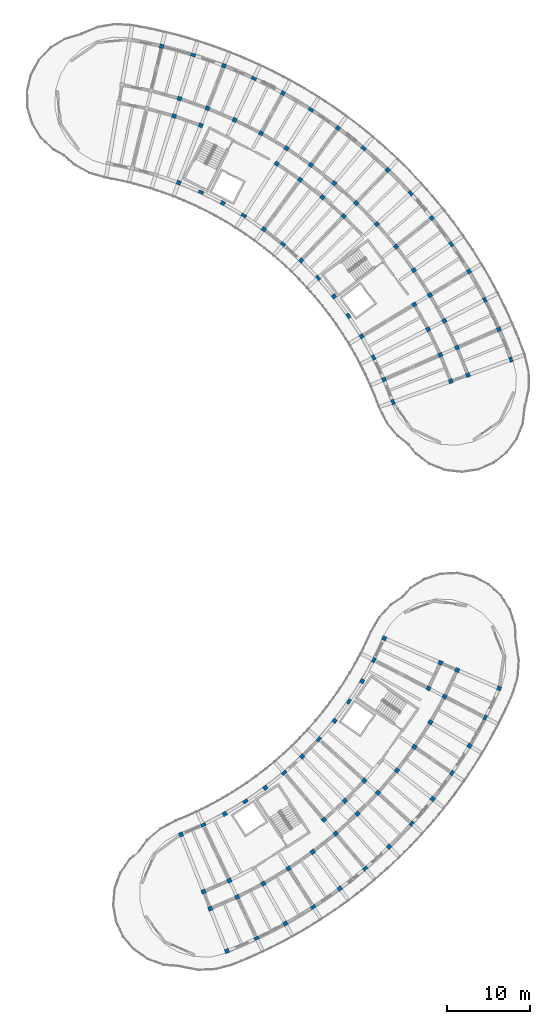
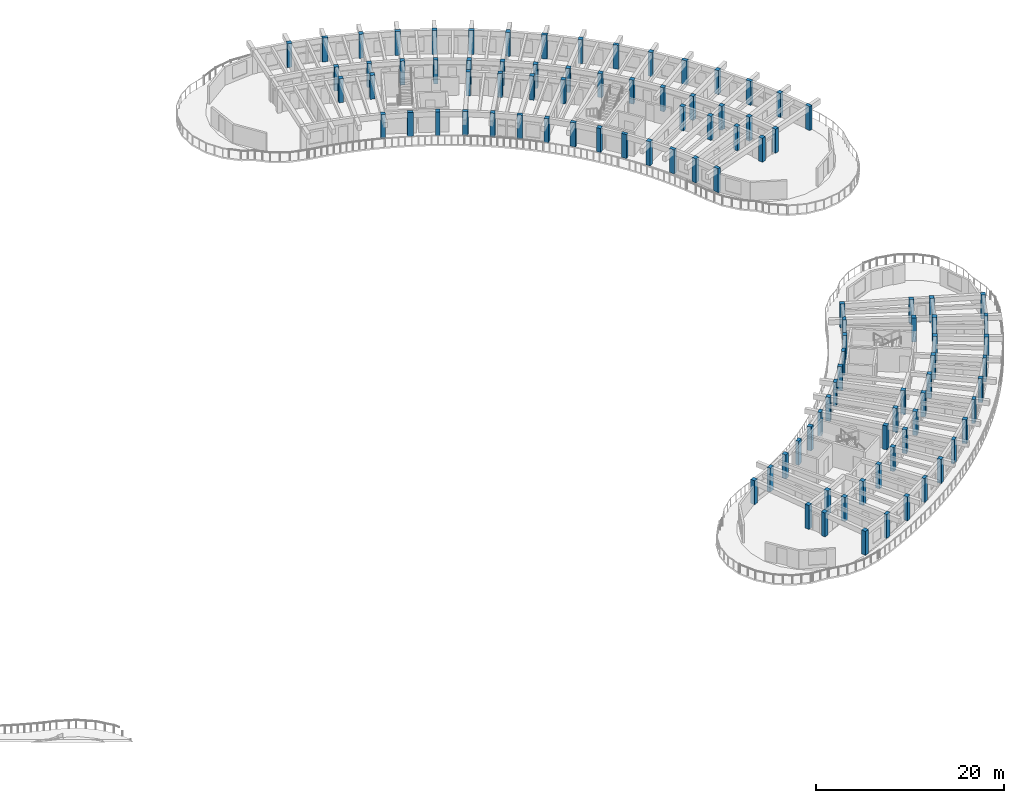
# One storey, part 2 of 83: 101 columns.
"""IFC4 building model written with IfcOpenShell, lengths in metres."""

from ifc_helpers import new_model, si_unit, direction, frame, origin, origin_2d, place, context, subcontext, project, spatial, rectangle, extrude, material, material_profile, profile_set, type_object, element, save


model = new_model("IFC4")

# Units and contexts
model_context = context("Model", 3, precision=1e-05, world=origin(), true_north=direction((0.0, 1.0)))
body_context = subcontext(model_context, "Body", "Model", "MODEL_VIEW")
ifc_project = project(units=[si_unit("LENGTHUNIT", "METRE"), si_unit("AREAUNIT", "SQUARE_METRE"), si_unit("VOLUMEUNIT", "CUBIC_METRE"), si_unit("PLANEANGLEUNIT", "RADIAN"), si_unit("MASSUNIT", "GRAM", prefix="KILO")], contexts=[model_context])

# Site, building, storey
site_placement = place(None, origin())
site = spatial("IfcSite", under=ifc_project, at=site_placement, CompositionType="ELEMENT")
building_placement = place(site_placement, origin())
building = spatial("IfcBuilding", under=site, at=building_placement, Name="Tanwirah Colonnade Gardens", CompositionType="ELEMENT")
storey_placement = place(building_placement, frame((0.0, 0.0, 25.639892578125)))
storey = spatial("IfcBuildingStorey", under=building, at=storey_placement, Name="L07", CompositionType="ELEMENT", Elevation=25.639892578125)

# Columns
ifc_material = material(Name="Precast concrete C40/50", Category="concrete")
ifc_material_profile_1 = material_profile(ifc_material, rectangle(XDim=0.510009765625, YDim=0.510009765625, at=origin_2d()), Name="PC-COL 510x510")
ifc_profile_set_1 = profile_set([ifc_material_profile_1], Name="Precast concrete C40/50")
column_type_1 = type_object("IfcColumnType", Name="C-PC420", PredefinedType="COLUMN", material=ifc_profile_set_1)
for number, where, z_axis, x_axis, name in (
    (1, (137.291015625, 23.142822265625, 0.0), (0.0, 0.0, 1.0), (0.366501226724, -0.930417567982, 0.0), "Block D L07 Column 2-R0"),
    (2, (140.003173828125, 16.2578125, 0.0), (0.0, 0.0, 1.0), (0.366501226724, -0.930417567982, 0.0), "Block D L07 Column 2-R1"),
    (3, (140.809326171875, 14.2109375, 0.0), (0.0, 0.0, 1.0), (0.366501226724, -0.930417567982, 0.0), "Block D L07 Column 2-R2"),
    (4, (142.8251953125, 9.09375, 0.0), (0.0, 0.0, 1.0), (0.366501226724, -0.930417567982, 0.0), "Block D L07 Column 2-R3"),
    (5, (143.11767578125, 17.60400390625, 0.0), (0.0, 0.0, 1.0), (0.426568739901, -0.904455145454, 0.0), "Block D L07 Column 3-R1"),
    (6, (144.05615234375, 15.6142578125, 0.0), (0.0, 0.0, 1.0), (0.426568739901, -0.904455145454, 0.0), "Block D L07 Column 3-R2"),
    (7, (142.5498046875, 25.623046875, 0.0), (0.0, 0.0, 1.0), (0.484809620246, -0.874619707139, 0.0), "Block D L07 Column 4-R0"),
    (8, (147.203857421875, 17.226806640625, 0.0), (0.0, 0.0, 1.0), (0.484809620246, -0.874619707139, 0.0), "Block D L07 Column 4-R2"),
    (9, (149.870361328125, 12.41650390625, 0.0), (0.0, 0.0, 1.0), (0.484809620246, -0.874619707139, 0.0), "Block D L07 Column 4-R3"),
    (10, (150.23974609375, 19.041748046875, 0.0), (0.0, 0.0, 1.0), (0.540974471368, -0.841039012964, 0.0), "Block D L07 Column 5-R2"),
    (11, (147.43994140625, 28.7685546875, 0.0), (0.0, 0.0, 1.0), (0.594822786751, -0.803856860617, 0.0), "Block D L07 Column 6-R0"),
    (12, (153.150146484375, 21.051513671875, 0.0), (0.0, 0.0, 1.0), (0.594822786751, -0.803856860617, 0.0), "Block D L07 Column 6-R2"),
    (13, (156.421630859375, 16.63037109375, 0.0), (0.0, 0.0, 1.0), (0.594822786751, -0.803856860617, 0.0), "Block D L07 Column 6-R3"),
    (14, (154.50146484375, 24.926513671875, 0.0), (0.0, 0.0, 1.0), (0.646123979643, -0.763232469783, 0.0), "Block D L07 Column 7-R1"),
    (15, (155.923095703125, 23.247314453125, 0.0), (0.0, 0.0, 1.0), (0.646123979643, -0.763232469783, 0.0), "Block D L07 Column 7-R2"),
    (16, (151.877685546875, 32.525390625, 0.0), (0.0, 0.0, 1.0), (0.694658370459, -0.719339800339, 0.0), "Block D L07 Column 8-R0"),
    (17, (157.01806640625, 27.2021484375, 0.0), (0.0, 0.0, 1.0), (0.694658370459, -0.719339800339, 0.0), "Block D L07 Column 8-R1"),
    (18, (158.54638671875, 25.61962890625, 0.0), (0.0, 0.0, 1.0), (0.694658370459, -0.719339800339, 0.0), "Block D L07 Column 8-R2"),
    (19, (162.366943359375, 21.663330078125, 0.0), (0.0, 0.0, 1.0), (0.694658370459, -0.719339800339, 0.0), "Block D L07 Column 8-R3"),
    (20, (159.38037109375, 29.6376953125, 0.0), (0.0, 0.0, 1.0), (0.740218127487, -0.672366807435, 0.0), "Block D L07 Column 9-R1"),
    (21, (161.0087890625, 28.15869140625, 0.0), (0.0, 0.0, 1.0), (0.740218127487, -0.672366807435, 0.0), "Block D L07 Column 9-R2"),
    (22, (155.786865234375, 36.829345703125, 0.0), (0.0, 0.0, 1.0), (0.782608156852, -0.622514636638, 0.0), "Block D L07 Column 10-R0"),
    (23, (163.300048828125, 30.85302734375, 0.0), (0.0, 0.0, 1.0), (0.782608156852, -0.622514636638, 0.0), "Block D L07 Column 10-R2"),
    (24, (167.604248046875, 27.42919921875, 0.0), (0.0, 0.0, 1.0), (0.782608156852, -0.622514636638, 0.0), "Block D L07 Column 10-R3"),
    (25, (165.409912109375, 33.691650390625, 0.0), (0.0, 0.0, 1.0), (0.821646937942, -0.569996762596, 0.0), "Block D L07 Column 11-R2"),
    (26, (159.10107421875, 41.6064453125, 0.0), (0.0, 0.0, 1.0), (0.857167300702, -0.51503807491, 0.0), "Block D L07 Column 12-R0"),
    (27, (167.329833984375, 36.662109375, 0.0), (0.0, 0.0, 1.0), (0.857167300702, -0.51503807491, 0.0), "Block D L07 Column 12-R2"),
    (28, (172.04443359375, 33.82958984375, 0.0), (0.0, 0.0, 1.0), (0.857167300702, -0.51503807491, 0.0), "Block D L07 Column 12-R3"),
    (29, (167.095458984375, 40.75927734375, 0.0), (0.0, 0.0, 1.0), (0.889017141486, -0.457873915117, 0.0), "Block D L07 Column 13-R1"),
    (30, (169.05126953125, 39.751953125, 0.0), (0.0, 0.0, 1.0), (0.889017141486, -0.457873915117, 0.0), "Block D L07 Column 13-R2"),
    (31, (161.763427734375, 46.775634765625, 0.0), (0.0, 0.0, 1.0), (0.917060074385, -0.398749068925, 0.0), "Block D L07 Column 14-R0"),
    (32, (168.549560546875, 43.824951171875, 0.0), (0.0, 0.0, 1.0), (0.917060074385, -0.398749068925, 0.0), "Block D L07 Column 14-R1"),
    (33, (170.567138671875, 42.947509765625, 0.0), (0.0, 0.0, 1.0), (0.917060074385, -0.398749068925, 0.0), "Block D L07 Column 14-R2"),
    (34, (175.61083984375, 40.75439453125, 0.0), (0.0, 0.0, 1.0), (0.917060074385, -0.398749068925, 0.0), "Block D L07 Column 14-R3"),
):
    element("IfcColumn", number, at=place(storey_placement, frame(where, z_axis=z_axis, x_axis=x_axis)), inside=storey, type_object=column_type_1, Name=name, PredefinedType="COLUMN", context=body_context, shape_type="SweptSolid", body=[
        extrude(rectangle(XDim=0.510009765625, YDim=0.510009765625, at=origin_2d()), origin(), (0.0, 0.0, 1.0), 3.110107421875),
    ])
ifc_material_profile_2 = material_profile(ifc_material, rectangle(XDim=0.5, YDim=0.5, at=origin_2d()), Name="PC-COL 500x500")
ifc_profile_set_2 = profile_set([ifc_material_profile_2], Name="Precast concrete C40/50")
column_type_2 = type_object("IfcColumnType", Name="C-PC500", PredefinedType="COLUMN", material=ifc_profile_set_2)
for number, where, z_axis, x_axis, name in (
    (35, (169.79150390625, 77.74462890625, 0.0), (0.0, 0.0, 1.0), (0.941012076693, 0.338372976931, 0.0), "Block B L07 Column 1-R1"),
    (36, (171.86181640625, 78.489013671875, 0.0), (0.0, 0.0, 1.0), (0.941012076693, 0.338372976931, 0.0), "Block B L07 Column 1-R2"),
    (37, (161.74609375, 77.9638671875, 0.0), (0.0, 0.0, 1.0), (0.916673002238, 0.39963809499, 0.0), "Block B L07 Column 2-R0"),
    (38, (168.529541015625, 80.921142578125, 0.0), (0.0, 0.0, 1.0), (0.916673002238, 0.39963809499, 0.0), "Block B L07 Column 2-R1"),
    (39, (170.546142578125, 81.800537109375, 0.0), (0.0, 0.0, 1.0), (0.916673002238, 0.39963809499, 0.0), "Block B L07 Column 2-R2"),
    (40, (175.587890625, 83.99853515625, 0.0), (0.0, 0.0, 1.0), (0.916673002238, 0.39963809499, 0.0), "Block B L07 Column 2-R3"),
    (41, (167.06103515625, 84.0078125, 0.0), (0.0, 0.0, 1.0), (0.88835024545, 0.459166463723, 0.0), "Block B L07 Column 3-R1"),
    (42, (169.015380859375, 85.01806640625, 0.0), (0.0, 0.0, 1.0), (0.88835024545, 0.459166463723, 0.0), "Block B L07 Column 3-R2"),
    (43, (159.056640625, 83.167236328125, 0.0), (0.0, 0.0, 1.0), (0.856166891514, 0.516699384434, 0.0), "Block B L07 Column 4-R0"),
    (44, (165.392333984375, 86.990966796875, 0.0), (0.0, 0.0, 1.0), (0.856166891514, 0.516699384434, 0.0), "Block B L07 Column 4-R1"),
    (45, (167.27587890625, 88.127685546875, 0.0), (0.0, 0.0, 1.0), (0.856166891514, 0.516699384434, 0.0), "Block B L07 Column 4-R2"),
    (46, (171.984619140625, 90.969482421875, 0.0), (0.0, 0.0, 1.0), (0.856166891514, 0.516699384434, 0.0), "Block B L07 Column 4-R3"),
    (47, (165.335205078125, 91.115966796875, 0.0), (0.0, 0.0, 1.0), (0.820262803018, 0.571986830255, 0.0), "Block B L07 Column 5-R2"),
    (48, (155.706298828125, 87.971923828125, 0.0), (0.0, 0.0, 1.0), (0.780794012137, 0.624788532714, 0.0), "Block B L07 Column 6-R0"),
    (49, (163.201904296875, 93.9697265625, 0.0), (0.0, 0.0, 1.0), (0.780794012137, 0.624788532714, 0.0), "Block B L07 Column 6-R2"),
    (50, (167.496337890625, 97.40625, 0.0), (0.0, 0.0, 1.0), (0.780794012137, 0.624788532714, 0.0), "Block B L07 Column 6-R3"),
    (51, (160.88525390625, 96.677001953125, 0.0), (0.0, 0.0, 1.0), (0.73793204255, 0.674875025896, 0.0), "Block B L07 Column 7-R2"),
    (52, (151.75341796875, 92.294189453125, 0.0), (0.0, 0.0, 1.0), (0.691863164029, 0.722028643656, 0.0), "Block B L07 Column 8-R0"),
    (53, (156.873046875, 97.63720703125, 0.0), (0.0, 0.0, 1.0), (0.691863164029, 0.722028643656, 0.0), "Block B L07 Column 8-R1"),
    (54, (158.395263671875, 99.2255859375, 0.0), (0.0, 0.0, 1.0), (0.691863164029, 0.722028643656, 0.0), "Block B L07 Column 8-R2"),
    (55, (162.200439453125, 103.19677734375, 0.0), (0.0, 0.0, 1.0), (0.691863164029, 0.722028643656, 0.0), "Block B L07 Column 8-R3"),
    (56, (154.32861328125, 99.91943359375, 0.0), (0.0, 0.0, 1.0), (0.642787582947, 0.766044465556, 0.0), "Block B L07 Column 9-R1"),
    (57, (155.74267578125, 101.604736328125, 0.0), (0.0, 0.0, 1.0), (0.642787582947, 0.766044465556, 0.0), "Block B L07 Column 9-R2"),
    (58, (147.266357421875, 96.05908203125, 0.0), (0.0, 0.0, 1.0), (0.590918572221, 0.806731207407, 0.0), "Block B L07 Column 10-R0"),
    (59, (151.63916015625, 102.029052734375, 0.0), (0.0, 0.0, 1.0), (0.590918572221, 0.806731207407, 0.0), "Block B L07 Column 10-R1"),
    (60, (152.939208984375, 103.8037109375, 0.0), (0.0, 0.0, 1.0), (0.590918572221, 0.806731207407, 0.0), "Block B L07 Column 10-R2"),
    (61, (156.189208984375, 108.24072265625, 0.0), (0.0, 0.0, 1.0), (0.590918572221, 0.806731207407, 0.0), "Block B L07 Column 10-R3"),
    (62, (148.816650390625, 103.956787109375, 0.0), (0.0, 0.0, 1.0), (0.536481544469, 0.843912052553, 0.0), "Block B L07 Column 11-R1"),
    (63, (149.996826171875, 105.8134765625, 0.0), (0.0, 0.0, 1.0), (0.536481544469, 0.843912052553, 0.0), "Block B L07 Column 11-R2"),
    (64, (142.3232421875, 99.20166015625, 0.0), (0.0, 0.0, 1.0), (0.479713072413, 0.877425420281, 0.0), "Block B L07 Column 12-R0"),
    (65, (146.928466796875, 107.624755859375, 0.0), (0.0, 0.0, 1.0), (0.479713072413, 0.877425420281, 0.0), "Block B L07 Column 12-R2"),
    (66, (149.56689453125, 112.45068359375, 0.0), (0.0, 0.0, 1.0), (0.479713072413, 0.877425420281, 0.0), "Block B L07 Column 12-R3"),
    (67, (143.74755859375, 109.230224609375, 0.0), (0.0, 0.0, 1.0), (0.420859860775, 0.907125668024, 0.0), "Block B L07 Column 13-R2"),
    (68, (137.010009765625, 101.666748046875, 0.0), (0.0, 0.0, 1.0), (0.36017767415, 0.932883724289, 0.0), "Block B L07 Column 14-R0"),
    (69, (139.67529296875, 108.570068359375, 0.0), (0.0, 0.0, 1.0), (0.36017767415, 0.932883724289, 0.0), "Block B L07 Column 14-R1"),
    (70, (140.467529296875, 110.622314453125, 0.0), (0.0, 0.0, 1.0), (0.36017767415, 0.932883724289, 0.0), "Block B L07 Column 14-R2"),
    (71, (142.448486328125, 115.753173828125, 0.0), (0.0, 0.0, 1.0), (0.36017767415, 0.932883724289, 0.0), "Block B L07 Column 14-R3"),
    (72, (136.44775390625, 109.6953125, 0.0), (0.0, 0.0, 1.0), (0.297930225503, 0.954587649581, 0.0), "Block B L07 Column 15-R1"),
    (73, (137.10302734375, 111.79541015625, 0.0), (0.0, 0.0, 1.0), (0.297930225503, 0.954587649581, 0.0), "Block B L07 Column 15-R2"),
    (74, (134.957763671875, 118.091064453125, 0.0), (0.0, 0.0, 1.0), (0.234388030122, 0.972143122866, 0.0), "Block B L07 Column 16-R3"),
):
    element("IfcColumn", number, at=place(storey_placement, frame(where, z_axis=z_axis, x_axis=x_axis)), inside=storey, type_object=column_type_2, Name=name, PredefinedType="COLUMN", context=body_context, shape_type="SweptSolid", body=[
        extrude(rectangle(XDim=0.5, YDim=0.5, at=origin_2d()), origin(), (0.0, 0.0, 1.0), 3.110107421875),
    ])
ifc_material_profile_3 = material_profile(ifc_material, rectangle(XDim=0.3798828125, YDim=0.6201171875, at=origin_2d()), Name="PC-PIL 380x620")
ifc_profile_set_3 = profile_set([ifc_material_profile_3], Name="Precast concrete C40/50")
column_type_3 = type_object("IfcColumnType", Name="PIL-380", PredefinedType="PILASTER", material=ifc_profile_set_3)
for number, where, z_axis, x_axis, name in (
    (75, (162.827880859375, 75.24072265625, 0.0), (0.0, 0.0, 1.0), (0.941012076693, 0.338372976931, 0.0), "Block B L07 Column 1-R0"),
    (76, (177.037353515625, 80.35009765625, 0.0), (0.0, 0.0, 1.0), (0.941012076693, 0.338372976931, 0.0), "Block B L07 Column 1-R3"),
    (77, (160.487060546875, 80.60986328125, 0.0), (0.0, 0.0, 1.0), (0.88835024545, 0.459166463723, 0.0), "Block B L07 Column 3-R0"),
    (78, (173.9013671875, 87.54345703125, 0.0), (0.0, 0.0, 1.0), (0.88835024545, 0.459166463723, 0.0), "Block B L07 Column 3-R3"),
    (79, (157.460693359375, 85.624755859375, 0.0), (0.0, 0.0, 1.0), (0.820262803018, 0.571986830255, 0.0), "Block B L07 Column 5-R0"),
    (80, (169.8466796875, 94.26171875, 0.0), (0.0, 0.0, 1.0), (0.820262803018, 0.571986830255, 0.0), "Block B L07 Column 5-R3"),
    (81, (153.801025390625, 90.1982421875, 0.0), (0.0, 0.0, 1.0), (0.73793204255, 0.674875025896, 0.0), "Block B L07 Column 7-R0"),
    (82, (164.94384765625, 100.388916015625, 0.0), (0.0, 0.0, 1.0), (0.73793204255, 0.674875025896, 0.0), "Block B L07 Column 7-R3"),
    (83, (149.572021484375, 94.250732421875, 0.0), (0.0, 0.0, 1.0), (0.642787582947, 0.766044465556, 0.0), "Block B L07 Column 9-R0"),
    (84, (159.278076171875, 105.81787109375, 0.0), (0.0, 0.0, 1.0), (0.642787582947, 0.766044465556, 0.0), "Block B L07 Column 9-R3"),
    (85, (144.8466796875, 97.7119140625, 0.0), (0.0, 0.0, 1.0), (0.536481544469, 0.843912052553, 0.0), "Block B L07 Column 11-R0"),
    (86, (152.947509765625, 110.455078125, 0.0), (0.0, 0.0, 1.0), (0.536481544469, 0.843912052553, 0.0), "Block B L07 Column 11-R3"),
    (87, (139.707275390625, 100.521728515625, 0.0), (0.0, 0.0, 1.0), (0.420859860775, 0.907125668024, 0.0), "Block B L07 Column 13-R0"),
    (88, (146.062255859375, 114.21923828125, 0.0), (0.0, 0.0, 1.0), (0.420859860775, 0.907125668024, 0.0), "Block B L07 Column 13-R3"),
    (89, (138.74169921875, 117.045654296875, 0.0), (0.0, 0.0, 1.0), (0.297930225503, 0.954587649581, 0.0), "Block B L07 Column 15-R3"),
    (90, (139.9609375, 24.296875, 0.0), (0.0, 0.0, 1.0), (0.426568739901, -0.904455145454, 0.0), "Block D L07 Column 3-R0"),
    (91, (146.402099609375, 10.6396484375, 0.0), (0.0, 0.0, 1.0), (0.426568739901, -0.904455145454, 0.0), "Block D L07 Column 3-R3"),
    (92, (145.04638671875, 27.11572265625, 0.0), (0.0, 0.0, 1.0), (0.540974471368, -0.841039012964, 0.0), "Block D L07 Column 5-R0"),
    (93, (153.215087890625, 14.416015625, 0.0), (0.0, 0.0, 1.0), (0.540974471368, -0.841039012964, 0.0), "Block D L07 Column 5-R3"),
    (94, (149.72021484375, 30.57421875, 0.0), (0.0, 0.0, 1.0), (0.646123979643, -0.763232469783, 0.0), "Block D L07 Column 7-R0"),
    (95, (159.4765625, 19.049560546875, 0.0), (0.0, 0.0, 1.0), (0.646123979643, -0.763232469783, 0.0), "Block D L07 Column 7-R3"),
    (96, (153.902587890625, 34.61328125, 0.0), (0.0, 0.0, 1.0), (0.740218127487, -0.672366807435, 0.0), "Block D L07 Column 9-R0"),
    (97, (165.080078125, 24.46044921875, 0.0), (0.0, 0.0, 1.0), (0.740218127487, -0.672366807435, 0.0), "Block D L07 Column 9-R3"),
    (98, (157.522216796875, 39.16357421875, 0.0), (0.0, 0.0, 1.0), (0.821646937942, -0.569996762596, 0.0), "Block D L07 Column 11-R0"),
    (99, (169.928955078125, 30.556640625, 0.0), (0.0, 0.0, 1.0), (0.821646937942, -0.569996762596, 0.0), "Block D L07 Column 11-R3"),
    (100, (160.516845703125, 44.1474609375, 0.0), (0.0, 0.0, 1.0), (0.889017141486, -0.457873915117, 0.0), "Block D L07 Column 13-R0"),
    (101, (173.94091796875, 37.233642578125, 0.0), (0.0, 0.0, 1.0), (0.889017141486, -0.457873915117, 0.0), "Block D L07 Column 13-R3"),
):
    element("IfcColumn", number, at=place(storey_placement, frame(where, z_axis=z_axis, x_axis=x_axis)), inside=storey, type_object=column_type_3, Name=name, PredefinedType="PILASTER", context=body_context, shape_type="SweptSolid", body=[
        extrude(rectangle(XDim=0.3798828125, YDim=0.6201171875, at=origin_2d()), origin(), (0.0, 0.0, 1.0), 3.110107421875),
    ])

save(model, "model.ifc")
